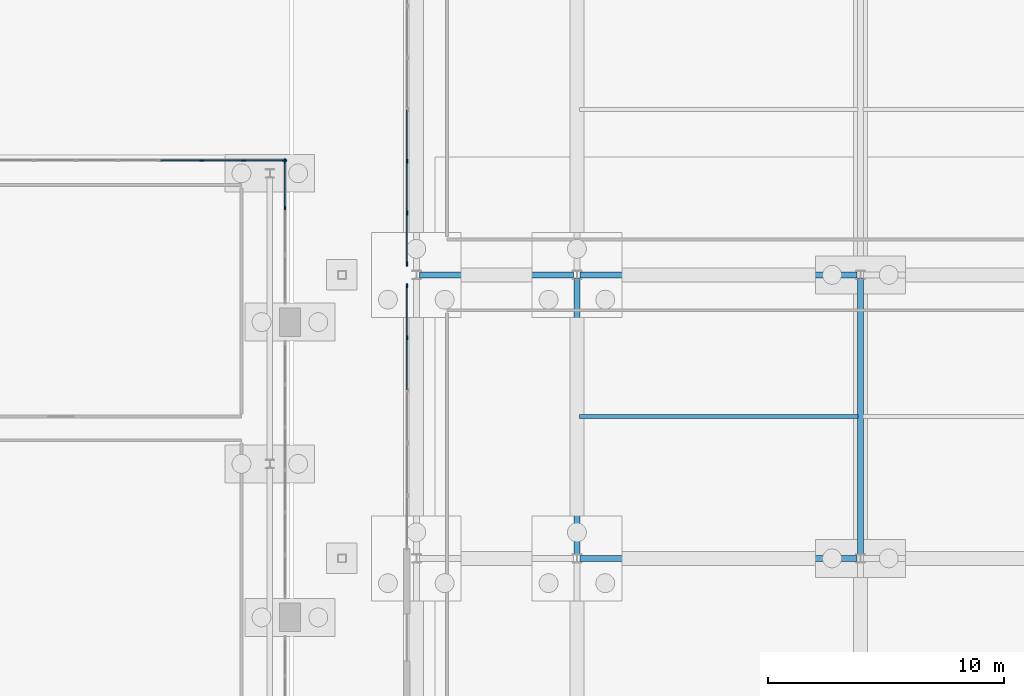
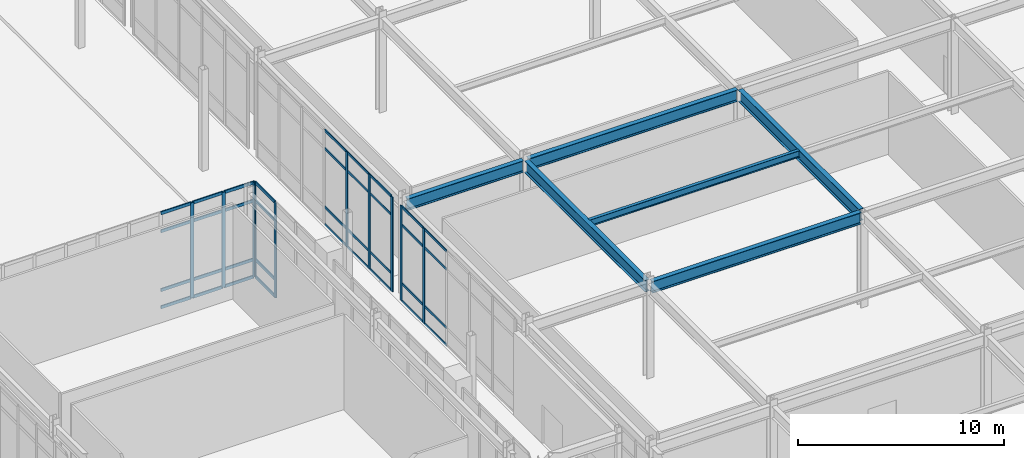
# One storey, part 63 of 143: 46 members, 6 beams, 4 elements without a shape of their own.
"""IFC4 building model written with IfcOpenShell, lengths in metres."""

import ifcopenshell
import ifcopenshell.guid

model = None  # the IFC model being written
_history = None  # IfcOwnerHistory: only IFC2X3 demands one
_inside = {}  # id of a spatial element -> (the spatial element, [elements in it])
_under = {}  # id of a project, library or spatial element -> (it, [spatial elements below it])
_declared = {}  # id of a project -> (the project, [libraries it declares])
_typed = {}  # id of a type object -> (the type object, [elements of that type])
_made_of = {}  # id of a material, layer set ... -> (it, [elements and type objects made of it])


def new_model(schema):
    """Start an empty IFC model of exactly this schema.

    Asked for "IFC4X3", IfcOpenShell would pick the latest addendum, in which some entities
    have other attributes; the version numbers below select the first issue.
    IFC2X3 requires an IfcOwnerHistory on every rooted entity: one is made here for all.
    """
    global model, _history
    if schema == "IFC4X3":
        model = ifcopenshell.file(schema_version=(4, 3, 0, 0))
    else:
        model = ifcopenshell.file(schema=schema)
    _inside.clear()
    _under.clear()
    _declared.clear()
    _typed.clear()
    _made_of.clear()
    _history = None
    if model.schema == "IFC2X3":
        org = make("IfcOrganization", Name="unknown")
        user = make(
            "IfcPersonAndOrganization",
            ThePerson=make("IfcPerson", FamilyName="unknown"),
            TheOrganization=org,
        )
        app = make(
            "IfcApplication",
            ApplicationDeveloper=org,
            Version="unknown",
            ApplicationFullName="unknown",
            ApplicationIdentifier="unknown",
        )
        _history = make(
            "IfcOwnerHistory",
            OwningUser=user,
            OwningApplication=app,
            ChangeAction="ADDED",
            CreationDate=0,
        )
    return model


def make(cls, **values):
    """One entity of the class cls with the attributes given. An attribute that is None is left unset."""
    return model.create_entity(
        cls, **{name: value for name, value in values.items() if value is not None}
    )


def rooted(cls, **values):
    """An entity with a GlobalId (a new one), such as an element, a storey or a relation."""
    return make(cls, GlobalId=ifcopenshell.guid.new(), OwnerHistory=_history, **values)


def si_unit(unit_type, name, prefix=None):
    """IfcSIUnit, for example si_unit("LENGTHUNIT", "METRE", prefix="MILLI")."""
    return make("IfcSIUnit", UnitType=unit_type, Prefix=prefix, Name=name)


def derived_unit(unit_type, elements):
    """IfcDerivedUnit: a product of units, each with its exponent."""
    return make(
        "IfcDerivedUnit",
        Elements=[
            make("IfcDerivedUnitElement", Unit=unit, Exponent=power)
            for unit, power in elements
        ],
        UnitType=unit_type,
    )


def assignment(units):
    """IfcUnitAssignment: the units of a project."""
    return None if units is None else make("IfcUnitAssignment", Units=units)


def point(xyz):
    """IfcCartesianPoint."""
    return None if xyz is None else make("IfcCartesianPoint", Coordinates=xyz)


def direction(xyz):
    """IfcDirection."""
    return None if xyz is None else make("IfcDirection", DirectionRatios=xyz)


def frame(location, z_axis=None, x_axis=None):
    """IfcAxis2Placement3D, a coordinate frame: its origin and axes. An axis left out is left unset."""
    return make(
        "IfcAxis2Placement3D",
        Location=point(location),
        Axis=direction(z_axis),
        RefDirection=direction(x_axis),
    )


def frame_2d(location, x_axis=None):
    """IfcAxis2Placement2D, a coordinate frame in the plane: its origin and x axis."""
    return make(
        "IfcAxis2Placement2D", Location=point(location), RefDirection=direction(x_axis)
    )


def origin():
    """The frame at (0, 0, 0) with its axes left unset."""
    return frame((0.0, 0.0, 0.0))


def origin_2d():
    """The frame at (0, 0) in the plane with its x axis left unset."""
    return frame_2d((0.0, 0.0))


def place(relative_to, where):
    """IfcLocalPlacement: puts the frame where relative to a parent placement (None: the world)."""
    return make(
        "IfcLocalPlacement", PlacementRelTo=relative_to, RelativePlacement=where
    )


def context(
    kind, dimensions, precision=None, world=None, true_north=None, identifier=None
):
    """IfcGeometricRepresentationContext, for example the 3D "Model" context."""
    return make(
        "IfcGeometricRepresentationContext",
        ContextIdentifier=identifier,
        ContextType=kind,
        CoordinateSpaceDimension=dimensions,
        Precision=precision,
        WorldCoordinateSystem=world,
        TrueNorth=true_north,
    )


def subcontext(parent, identifier, kind, view, scale=None):
    """IfcGeometricRepresentationSubContext, for example "Body" below "Model"."""
    return make(
        "IfcGeometricRepresentationSubContext",
        ContextIdentifier=identifier,
        ContextType=kind,
        ParentContext=parent,
        TargetScale=scale,
        TargetView=view,
    )


def project(units=None, contexts=None):
    """IfcProject with its units and contexts."""
    return rooted(
        "IfcProject",
        Name="project",
        RepresentationContexts=contexts,
        UnitsInContext=assignment(units),
    )


def spatial(cls, under=None, at=None, **own):
    """A site, building, storey or space (cls), placed at a placement, below another one or the project."""
    s = rooted(cls, ObjectPlacement=at, **own)
    if under is not None:
        _under.setdefault(under.id(), (under, []))[1].append(s)
    return s


def profile(cls, at=None, kind="AREA", **sizes):
    """A parametric profile (cls). Its sizes go by their IFC names, for example OverallWidth=200.0."""
    return make(cls, ProfileType=kind, Position=at, **sizes)


def rectangle(**sizes):
    """IfcRectangleProfileDef."""
    return profile("IfcRectangleProfileDef", **sizes)


def i_section(**sizes):
    """IfcIShapeProfileDef."""
    return profile("IfcIShapeProfileDef", **sizes)


def extrude(swept, where, along, depth):
    """IfcExtrudedAreaSolid: the profile swept, set in the frame where, extruded along a direction by depth."""
    return make(
        "IfcExtrudedAreaSolid",
        SweptArea=swept,
        Position=where,
        ExtrudedDirection=direction(along),
        Depth=depth,
    )


def shape(context_of_items, identifier, shape_type, items):
    """IfcShapeRepresentation: the items that make up one representation, for example the "Body"."""
    return make(
        "IfcShapeRepresentation",
        ContextOfItems=context_of_items,
        RepresentationIdentifier=identifier,
        RepresentationType=shape_type,
        Items=items,
    )


def material(Name=None, Category=None):
    """IfcMaterial."""
    return make("IfcMaterial", Name=Name, Category=Category)


def layer(
    of_material, thickness, ventilated=None, Name=None, Category=None, Priority=None
):
    """IfcMaterialLayer: one layer of a wall or slab, of a material (None: an air gap)."""
    return make(
        "IfcMaterialLayer",
        Material=of_material,
        LayerThickness=thickness,
        IsVentilated=ventilated,
        Name=Name,
        Category=Category,
        Priority=Priority,
    )


def layer_set(layers, Name=None):
    """IfcMaterialLayerSet."""
    return make("IfcMaterialLayerSet", MaterialLayers=layers, LayerSetName=Name)


def material_profile(
    of_material, cross_section, Name=None, Category=None, Priority=None
):
    """IfcMaterialProfile: a cross section and its material."""
    return make(
        "IfcMaterialProfile",
        Name=Name,
        Material=of_material,
        Profile=cross_section,
        Priority=Priority,
        Category=Category,
    )


def profile_set(profiles, Name=None, composite=None):
    """IfcMaterialProfileSet."""
    return make(
        "IfcMaterialProfileSet",
        Name=Name,
        MaterialProfiles=profiles,
        CompositeProfile=composite,
    )


def made_of(thing, what):
    """Note that an element or type object is made of a material, layer set ...; save() writes the relation."""
    if what is not None:
        _made_of.setdefault(what.id(), (what, []))[1].append(thing)
    return thing


def type_object(cls, material=None, **own):
    """A type object (cls), such as IfcWallType, which elements share."""
    return made_of(rooted(cls, **own), material)


def element(
    cls,
    number,
    at=None,
    inside=None,
    cuts=None,
    type_object=None,
    material=None,
    context=None,
    identifier="Body",
    shape_type=None,
    held_by="IfcProductDefinitionShape",
    body=None,
    shapes=None,
    **own,
):
    """One element of the class cls, such as IfcWall. Its Tag is "e" and its number.

    at: its placement. inside: the storey or other place that contains it. cuts: it is an
    opening in that element (IfcRelVoidsElement). A single representation is given by context,
    identifier, shape_type and body (its items); several are given by shapes. held_by: the class
    of the entity that holds the representations. save() writes the other relations.
    """
    e = rooted(cls, Tag="e%d" % number, ObjectPlacement=at, **own)
    if body is not None:
        shapes = [shape(context, identifier, shape_type, body)]
    if shapes is not None:
        e.Representation = make(held_by, Representations=shapes)
    if inside is not None:
        _inside.setdefault(inside.id(), (inside, []))[1].append(e)
    if cuts is not None:
        rooted(
            "IfcRelVoidsElement", RelatingBuildingElement=cuts, RelatedOpeningElement=e
        )
    if type_object is not None:
        _typed.setdefault(type_object.id(), (type_object, []))[1].append(e)
    return made_of(e, material)


def aggregate(whole, parts):
    """IfcRelAggregates: a whole, such as a stair, and the parts it consists of."""
    return rooted("IfcRelAggregates", RelatingObject=whole, RelatedObjects=parts)


def save(model, path):
    """Write the relations noted so far, then the file.

    IfcRelAggregates (storeys below a building ...), IfcRelContainedInSpatialStructure (elements
    in a storey), IfcRelDefinesByType, IfcRelAssociatesMaterial and IfcRelDeclares: one each for
    every whole, place, type object, material and project.
    """
    for whole, parts in _under.values():
        aggregate(whole, parts)
    for where, things in _inside.values():
        rooted(
            "IfcRelContainedInSpatialStructure",
            RelatedElements=things,
            RelatingStructure=where,
        )
    for kind, things in _typed.values():
        rooted("IfcRelDefinesByType", RelatedObjects=things, RelatingType=kind)
    for what, things in _made_of.values():
        rooted("IfcRelAssociatesMaterial", RelatedObjects=things, RelatingMaterial=what)
    for by, libraries in _declared.values():
        rooted("IfcRelDeclares", RelatingContext=by, RelatedDefinitions=libraries)
    model.write(path)


model = new_model("IFC4")

# Units and contexts
model_context = context("Model", 3, precision=1e-05, world=origin(), true_north=direction((0.0, 1.0)))
body_context = subcontext(model_context, "Body", "Model", "MODEL_VIEW")
ifc_project = project(units=[si_unit("LENGTHUNIT", "METRE"), si_unit("AREAUNIT", "SQUARE_METRE"), si_unit("VOLUMEUNIT", "CUBIC_METRE"), si_unit("PLANEANGLEUNIT", "RADIAN"), si_unit("MASSUNIT", "GRAM", prefix="KILO"), derived_unit("THERMALTRANSMITTANCEUNIT", [(si_unit("MASSUNIT", "GRAM", prefix="KILO"), 1), (si_unit("TIMEUNIT", "SECOND"), -3), (si_unit("THERMODYNAMICTEMPERATUREUNIT", "KELVIN"), -1)])], contexts=[model_context])

# Site, building, storey
site_placement = place(None, origin())
site = spatial("IfcSite", under=ifc_project, at=site_placement, CompositionType="ELEMENT")
building_placement = place(site_placement, origin())
building = spatial("IfcBuilding", under=site, at=building_placement, Name="Valcora Ridge Arena", CompositionType="ELEMENT")
storey_placement = place(building_placement, origin())
storey = spatial("IfcBuildingStorey", under=building, at=storey_placement, Name="L00", CompositionType="ELEMENT", Elevation=0.0)

# Beams
ifc_material_1 = material(Name="Steel ASTM A572 Grade 50", Category="steel")
ifc_material_profile_1 = material_profile(ifc_material_1, i_section(OverallWidth=0.256103515625, OverallDepth=0.693115234375, WebThickness=0.014404296875, FlangeThickness=0.023681640625, FilletRadius=0.02001953125, at=origin_2d()), Name="W27X114")
ifc_profile_set_1 = profile_set([ifc_material_profile_1], Name="Steel ASTM A572 Grade 50")
beam_type_1 = type_object("IfcBeamType", Name="TY-BEAM-G-W27X114-X", PredefinedType="BEAM", material=ifc_profile_set_1)
beam_1_placement = place(storey_placement, frame((144.139892578125, 28.0, 5.2734375), z_axis=(1.0, 0.0, 0.0), x_axis=(0.0, 1.0, 0.0)))
element("IfcBeam", 1, at=beam_1_placement, inside=storey, type_object=beam_type_1, Name="G-W27X114-X BEM-G-W27X114-X-0005", PredefinedType="BEAM", context=body_context, shape_type="SweptSolid", body=[
    extrude(i_section(OverallWidth=0.256103515625, OverallDepth=0.693115234375, WebThickness=0.014404296875, FlangeThickness=0.023681640625, FilletRadius=0.02001953125, at=origin_2d()), origin(), (0.0, 0.0, 1.0), 11.72021484375),
])
beam_2_placement = place(storey_placement, frame((137.340087890625, 40.0, 5.2734375), z_axis=(1.0, 0.0, 0.0), x_axis=(0.0, 1.0, 0.0)))
element("IfcBeam", 2, at=beam_2_placement, inside=storey, type_object=beam_type_1, Name="G-W27X114-X BEM-G-W27X114-X-0009", PredefinedType="BEAM", context=body_context, shape_type="SweptSolid", body=[
    extrude(i_section(OverallWidth=0.256103515625, OverallDepth=0.693115234375, WebThickness=0.014404296875, FlangeThickness=0.023681640625, FilletRadius=0.02001953125, at=origin_2d()), origin(), (0.0, 0.0, 1.0), 6.52001953125),
])
beam_3_placement = place(storey_placement, frame((144.139892578125, 40.0, 5.2734375), z_axis=(1.0, 0.0, 0.0), x_axis=(0.0, 1.0, 0.0)))
element("IfcBeam", 3, at=beam_3_placement, inside=storey, type_object=beam_type_1, Name="G-W27X114-X BEM-G-W27X114-X-0010", PredefinedType="BEAM", context=body_context, shape_type="SweptSolid", body=[
    extrude(i_section(OverallWidth=0.256103515625, OverallDepth=0.693115234375, WebThickness=0.014404296875, FlangeThickness=0.023681640625, FilletRadius=0.02001953125, at=origin_2d()), origin(), (0.0, 0.0, 1.0), 11.72021484375),
])
ifc_material_profile_2 = material_profile(ifc_material_1, i_section(OverallWidth=0.256103515625, OverallDepth=0.693115234375, WebThickness=0.014404296875, FlangeThickness=0.023681640625, FilletRadius=0.02001953125, at=origin_2d()), Name="W27X114")
ifc_profile_set_2 = profile_set([ifc_material_profile_2], Name="Steel ASTM A572 Grade 50")
beam_type_2 = type_object("IfcBeamType", Name="TY-BEAM-G-W27X114-Y", PredefinedType="BEAM", material=ifc_profile_set_2)
for number, where, z_axis, x_axis, name in (
    (4, (144.0, 28.139892578125, 5.2734375), (0.0, 1.0, 0.0), (-1.0, 0.0, 0.0), "G-W27X114-Y BEM-G-W27X114-Y-0009"),
    (5, (156.0, 28.139892578125, 5.2734375), (0.0, 1.0, 0.0), (-1.0, 0.0, 0.0), "G-W27X114-Y BEM-G-W27X114-Y-0015"),
):
    element("IfcBeam", number, at=place(storey_placement, frame(where, z_axis=z_axis, x_axis=x_axis)), inside=storey, type_object=beam_type_2, Name=name, PredefinedType="BEAM", context=body_context, shape_type="SweptSolid", body=[
        extrude(i_section(OverallWidth=0.256103515625, OverallDepth=0.693115234375, WebThickness=0.014404296875, FlangeThickness=0.023681640625, FilletRadius=0.02001953125, at=origin_2d()), origin(), (0.0, 0.0, 1.0), 11.72021484375),
    ])
ifc_material_profile_3 = material_profile(ifc_material_1, i_section(OverallWidth=0.177978515625, OverallDepth=0.406005859375, WebThickness=0.0078125, FlangeThickness=0.0126953125, FilletRadius=0.013916015625, at=origin_2d()), Name="W16X40")
ifc_profile_set_3 = profile_set([ifc_material_profile_3], Name="Steel ASTM A572 Grade 50")
beam_type_3 = type_object("IfcBeamType", Name="TY-BEAM-J-W16X40", PredefinedType="JOIST", material=ifc_profile_set_3)
beam_4_placement = place(storey_placement, frame((144.10009765625, 34.0, 5.4169921875), z_axis=(1.0, 0.0, 0.0), x_axis=(0.0, 1.0, 0.0)))
element("IfcBeam", 6, at=beam_4_placement, inside=storey, type_object=beam_type_3, Name="J-W16X40 BEM-J-W16X40-0003", PredefinedType="JOIST", context=body_context, shape_type="SweptSolid", body=[
    extrude(i_section(OverallWidth=0.177978515625, OverallDepth=0.406005859375, WebThickness=0.0078125, FlangeThickness=0.0126953125, FilletRadius=0.013916015625, at=origin_2d()), origin(), (0.0, 0.0, 1.0), 11.7998046875),
])

# Curtain wall, members
ifc_material_2 = material(Name="Anodised dark bronze architectural aluminium 6063-T6", Category="aluminium")
ifc_layer_1 = layer(ifc_material_2, 0.179931640625, Name="Anodised dark bronze architectural aluminium 6063-T6")
ifc_layer_set_1 = layer_set([ifc_layer_1], Name="Anodised dark bronze architectural aluminium 6063-T6")
curtain_wall_type_1 = type_object("IfcCurtainWallType", Name="TY-CURTAINWALL-CW-V3-LANCET-060X56", PredefinedType="NOTDEFINED", material=ifc_layer_set_1)
curtain_wall_1_placement = place(storey_placement, origin())
curtain_wall_1 = element("IfcCurtainWall", 7, at=curtain_wall_1_placement, inside=storey, type_object=curtain_wall_type_1, Name="CW-V3-LANCET-060X56 CW-0006", PredefinedType="NOTDEFINED")
ifc_material_profile_4 = material_profile(ifc_material_2, rectangle(XDim=0.06005859375, YDim=0.179931640625, at=origin_2d()), Name="ALU MULLION 60x180")
ifc_profile_set_4 = profile_set([ifc_material_profile_4], Name="Anodised dark bronze architectural aluminium 6063-T6")
member_type_1 = type_object("IfcMemberType", Name="TY-MEM-CWM-60x180", PredefinedType="MULLION", material=ifc_profile_set_4)
member_1_placement = place(storey_placement, frame((131.64990234375, 42.8466796875, 0.0), z_axis=(0.0, 0.0, 1.0), x_axis=(-1.0, 0.0, 0.0)))
member_1 = element("IfcMember", 8, at=member_1_placement, type_object=member_type_1, Name="CW-0006/CWM-60x180/M02", PredefinedType="MULLION", context=body_context, shape_type="SweptSolid", body=[
    extrude(rectangle(XDim=0.06005859375, YDim=0.179931640625, at=origin_2d()), origin(), (0.0, 0.0, 1.0), 5.639892578125),
])
member_2_placement = place(storey_placement, frame((131.64990234375, 44.820068359375, 0.0), z_axis=(0.0, 0.0, 1.0), x_axis=(-1.0, 0.0, 0.0)))
member_2 = element("IfcMember", 9, at=member_2_placement, type_object=member_type_1, Name="CW-0006/CWM-60x180/M03", PredefinedType="MULLION", context=body_context, shape_type="SweptSolid", body=[
    extrude(rectangle(XDim=0.06005859375, YDim=0.179931640625, at=origin_2d()), origin(), (0.0, 0.0, 1.0), 5.639892578125),
])

ifc_layer_2 = layer(ifc_material_2, 0.179931640625, Name="Anodised dark bronze architectural aluminium 6063-T6")
ifc_layer_set_2 = layer_set([ifc_layer_2], Name="Anodised dark bronze architectural aluminium 6063-T6")
curtain_wall_type_2 = type_object("IfcCurtainWallType", Name="TY-CURTAINWALL-CW-V3-LANCET-194X56", PredefinedType="NOTDEFINED", material=ifc_layer_set_2)
curtain_wall_2_placement = place(storey_placement, origin())
curtain_wall_2 = element("IfcCurtainWall", 10, at=curtain_wall_2_placement, inside=storey, type_object=curtain_wall_type_2, Name="CW-V3-LANCET-194X56 CW-0007", PredefinedType="NOTDEFINED")
member_3_placement = place(storey_placement, frame((128.113525390625, 44.85009765625, 0.0), z_axis=(0.0, 0.0, 1.0), x_axis=(0.0, 1.0, 0.0)))
member_3 = element("IfcMember", 11, at=member_3_placement, type_object=member_type_1, Name="CW-0007/CWM-60x180/M09", PredefinedType="MULLION", context=body_context, shape_type="SweptSolid", body=[
    extrude(rectangle(XDim=0.06005859375, YDim=0.179931640625, at=origin_2d()), origin(), (0.0, 0.0, 1.0), 5.639892578125),
])
member_4_placement = place(storey_placement, frame((129.8818359375, 44.85009765625, 0.0), z_axis=(0.0, 0.0, 1.0), x_axis=(0.0, 1.0, 0.0)))
member_4 = element("IfcMember", 12, at=member_4_placement, type_object=member_type_1, Name="CW-0007/CWM-60x180/M10", PredefinedType="MULLION", context=body_context, shape_type="SweptSolid", body=[
    extrude(rectangle(XDim=0.06005859375, YDim=0.179931640625, at=origin_2d()), origin(), (0.0, 0.0, 1.0), 5.639892578125),
])
member_5_placement = place(storey_placement, frame((131.6201171875, 44.85009765625, 0.0), z_axis=(0.0, 0.0, 1.0), x_axis=(0.0, 1.0, 0.0)))
member_5 = element("IfcMember", 13, at=member_5_placement, type_object=member_type_1, Name="CW-0007/CWM-60x180/M11", PredefinedType="MULLION", context=body_context, shape_type="SweptSolid", body=[
    extrude(rectangle(XDim=0.06005859375, YDim=0.179931640625, at=origin_2d()), origin(), (0.0, 0.0, 1.0), 5.639892578125),
])

ifc_layer_3 = layer(ifc_material_2, 0.179931640625, Name="Anodised dark bronze architectural aluminium 6063-T6")
ifc_layer_set_3 = layer_set([ifc_layer_3], Name="Anodised dark bronze architectural aluminium 6063-T6")
curtain_wall_type_3 = type_object("IfcCurtainWallType", Name="TY-CURTAINWALL-CW-V2-GLAZ-111X56", PredefinedType="NOTDEFINED", material=ifc_layer_set_3)
curtain_wall_3_placement = place(storey_placement, origin())
curtain_wall_3 = element("IfcCurtainWall", 14, at=curtain_wall_3_placement, inside=storey, type_object=curtain_wall_type_3, Name="CW-V2-GLAZ-111X56 CW-0021", PredefinedType="NOTDEFINED")
member_6_placement = place(storey_placement, frame((136.800048828125, 37.340087890625, 0.0), z_axis=(0.0, 0.0, 1.0), x_axis=(-1.0, 0.0, 0.0)))
member_6 = element("IfcMember", 15, at=member_6_placement, type_object=member_type_1, Name="CW-0021/CWM-60x180/M04", PredefinedType="MULLION", context=body_context, shape_type="SweptSolid", body=[
    extrude(rectangle(XDim=0.06005859375, YDim=0.179931640625, at=origin_2d()), origin(), (0.0, 0.0, 1.0), 5.6201171875),
])
member_7_placement = place(storey_placement, frame((136.800048828125, 39.537109375, 0.0), z_axis=(0.0, 0.0, 1.0), x_axis=(-1.0, 0.0, 0.0)))
member_7 = element("IfcMember", 16, at=member_7_placement, type_object=member_type_1, Name="CW-0021/CWM-60x180/M05", PredefinedType="MULLION", context=body_context, shape_type="SweptSolid", body=[
    extrude(rectangle(XDim=0.06005859375, YDim=0.179931640625, at=origin_2d()), origin(), (0.0, 0.0, 1.0), 5.6201171875),
])

ifc_layer_4 = layer(ifc_material_2, 0.179931640625, Name="Anodised dark bronze architectural aluminium 6063-T6")
ifc_layer_set_4 = layer_set([ifc_layer_4], Name="Anodised dark bronze architectural aluminium 6063-T6")
curtain_wall_type_4 = type_object("IfcCurtainWallType", Name="TY-CURTAINWALL-CW-V2-GLAZ-131X56", PredefinedType="NOTDEFINED", material=ifc_layer_set_4)
curtain_wall_4_placement = place(storey_placement, origin())
curtain_wall_4 = element("IfcCurtainWall", 17, at=curtain_wall_4_placement, inside=storey, type_object=curtain_wall_type_4, Name="CW-V2-GLAZ-131X56 CW-0022", PredefinedType="NOTDEFINED")
member_8_placement = place(storey_placement, frame((136.800048828125, 40.462890625, 0.0), z_axis=(0.0, 0.0, 1.0), x_axis=(-1.0, 0.0, 0.0)))
member_8 = element("IfcMember", 18, at=member_8_placement, type_object=member_type_1, Name="CW-0022/CWM-60x180/M00", PredefinedType="MULLION", context=body_context, shape_type="SweptSolid", body=[
    extrude(rectangle(XDim=0.06005859375, YDim=0.179931640625, at=origin_2d()), origin(), (0.0, 0.0, 1.0), 5.6201171875),
])
member_9_placement = place(storey_placement, frame((136.800048828125, 42.6220703125, 0.0), z_axis=(0.0, 0.0, 1.0), x_axis=(-1.0, 0.0, 0.0)))
member_9 = element("IfcMember", 19, at=member_9_placement, type_object=member_type_1, Name="CW-0022/CWM-60x180/M01", PredefinedType="MULLION", context=body_context, shape_type="SweptSolid", body=[
    extrude(rectangle(XDim=0.06005859375, YDim=0.179931640625, at=origin_2d()), origin(), (0.0, 0.0, 1.0), 5.6201171875),
])
member_10_placement = place(storey_placement, frame((136.800048828125, 44.81103515625, 0.0), z_axis=(0.0, 0.0, 1.0), x_axis=(-1.0, 0.0, 0.0)))
member_10 = element("IfcMember", 20, at=member_10_placement, type_object=member_type_1, Name="CW-0022/CWM-60x180/M02", PredefinedType="MULLION", context=body_context, shape_type="SweptSolid", body=[
    extrude(rectangle(XDim=0.06005859375, YDim=0.179931640625, at=origin_2d()), origin(), (0.0, 0.0, 1.0), 5.6201171875),
])

# Member
ifc_material_profile_5 = material_profile(ifc_material_2, rectangle(XDim=0.050048828125, YDim=0.14990234375, at=origin_2d()), Name="ALU TRANSOM 50x150")
ifc_profile_set_5 = profile_set([ifc_material_profile_5], Name="Anodised dark bronze architectural aluminium 6063-T6")
member_type_2 = type_object("IfcMemberType", Name="TY-MEM-CWT-50x150", PredefinedType="USERDEFINED", material=ifc_profile_set_5)
member_11_placement = place(storey_placement, frame((136.800048828125, 35.14306640625, 0.02490234375), z_axis=(0.0, 1.0, 0.0), x_axis=(-1.0, 0.0, 0.0)))
member_11 = element("IfcMember", 21, at=member_11_placement, type_object=member_type_2, Name="CW-0021/CWT-50x150/T03-00", ObjectType="TRANSOM", PredefinedType="USERDEFINED", context=body_context, shape_type="SweptSolid", body=[
    extrude(rectangle(XDim=0.050048828125, YDim=0.14990234375, at=origin_2d()), origin(), (0.0, 0.0, 1.0), 2.1669921875),
])

member_12_placement = place(storey_placement, frame((136.800048828125, 35.14306640625, 1.050048828125), z_axis=(0.0, 1.0, 0.0), x_axis=(-1.0, 0.0, 0.0)))
member_12 = element("IfcMember", 22, at=member_12_placement, type_object=member_type_2, Name="CW-0021/CWT-50x150/T03-01", ObjectType="TRANSOM", PredefinedType="USERDEFINED", context=body_context, shape_type="SweptSolid", body=[
    extrude(rectangle(XDim=0.050048828125, YDim=0.14990234375, at=origin_2d()), origin(), (0.0, 0.0, 1.0), 2.1669921875),
])

member_13_placement = place(storey_placement, frame((136.800048828125, 35.14306640625, 4.52001953125), z_axis=(0.0, 1.0, 0.0), x_axis=(-1.0, 0.0, 0.0)))
member_13 = element("IfcMember", 23, at=member_13_placement, type_object=member_type_2, Name="CW-0021/CWT-50x150/T03-02", ObjectType="TRANSOM", PredefinedType="USERDEFINED", context=body_context, shape_type="SweptSolid", body=[
    extrude(rectangle(XDim=0.050048828125, YDim=0.14990234375, at=origin_2d()), origin(), (0.0, 0.0, 1.0), 2.1669921875),
])

member_14_placement = place(storey_placement, frame((136.800048828125, 35.14306640625, 5.594970703125), z_axis=(0.0, 1.0, 0.0), x_axis=(-1.0, 0.0, 0.0)))
member_14 = element("IfcMember", 24, at=member_14_placement, type_object=member_type_2, Name="CW-0021/CWT-50x150/T03-03", ObjectType="TRANSOM", PredefinedType="USERDEFINED", context=body_context, shape_type="SweptSolid", body=[
    extrude(rectangle(XDim=0.050048828125, YDim=0.14990234375, at=origin_2d()), origin(), (0.0, 0.0, 1.0), 2.1669921875),
])

member_15_placement = place(storey_placement, frame((136.800048828125, 37.3701171875, 0.02490234375), z_axis=(0.0, 1.0, 0.0), x_axis=(-1.0, 0.0, 0.0)))
member_15 = element("IfcMember", 25, at=member_15_placement, type_object=member_type_2, Name="CW-0021/CWT-50x150/T04-00", ObjectType="TRANSOM", PredefinedType="USERDEFINED", context=body_context, shape_type="SweptSolid", body=[
    extrude(rectangle(XDim=0.050048828125, YDim=0.14990234375, at=origin_2d()), origin(), (0.0, 0.0, 1.0), 2.136962890625),
])

member_16_placement = place(storey_placement, frame((136.800048828125, 37.3701171875, 1.050048828125), z_axis=(0.0, 1.0, 0.0), x_axis=(-1.0, 0.0, 0.0)))
member_16 = element("IfcMember", 26, at=member_16_placement, type_object=member_type_2, Name="CW-0021/CWT-50x150/T04-01", ObjectType="TRANSOM", PredefinedType="USERDEFINED", context=body_context, shape_type="SweptSolid", body=[
    extrude(rectangle(XDim=0.050048828125, YDim=0.14990234375, at=origin_2d()), origin(), (0.0, 0.0, 1.0), 2.136962890625),
])

member_17_placement = place(storey_placement, frame((136.800048828125, 37.3701171875, 4.52001953125), z_axis=(0.0, 1.0, 0.0), x_axis=(-1.0, 0.0, 0.0)))
member_17 = element("IfcMember", 27, at=member_17_placement, type_object=member_type_2, Name="CW-0021/CWT-50x150/T04-02", ObjectType="TRANSOM", PredefinedType="USERDEFINED", context=body_context, shape_type="SweptSolid", body=[
    extrude(rectangle(XDim=0.050048828125, YDim=0.14990234375, at=origin_2d()), origin(), (0.0, 0.0, 1.0), 2.136962890625),
])

member_18_placement = place(storey_placement, frame((136.800048828125, 37.3701171875, 5.594970703125), z_axis=(0.0, 1.0, 0.0), x_axis=(-1.0, 0.0, 0.0)))
member_18 = element("IfcMember", 28, at=member_18_placement, type_object=member_type_2, Name="CW-0021/CWT-50x150/T04-03", ObjectType="TRANSOM", PredefinedType="USERDEFINED", context=body_context, shape_type="SweptSolid", body=[
    extrude(rectangle(XDim=0.050048828125, YDim=0.14990234375, at=origin_2d()), origin(), (0.0, 0.0, 1.0), 2.136962890625),
])

aggregate(curtain_wall_3, [member_6, member_7, member_11, member_12, member_13, member_14, member_15, member_16, member_17, member_18])

member_19_placement = place(storey_placement, frame((136.800048828125, 40.492919921875, 0.02490234375), z_axis=(0.0, 1.0, 0.0), x_axis=(-1.0, 0.0, 0.0)))
member_19 = element("IfcMember", 29, at=member_19_placement, type_object=member_type_2, Name="CW-0022/CWT-50x150/T00-00", ObjectType="TRANSOM", PredefinedType="USERDEFINED", context=body_context, shape_type="SweptSolid", body=[
    extrude(rectangle(XDim=0.050048828125, YDim=0.14990234375, at=origin_2d()), origin(), (0.0, 0.0, 1.0), 2.09912109375),
])

member_20_placement = place(storey_placement, frame((136.800048828125, 40.492919921875, 1.050048828125), z_axis=(0.0, 1.0, 0.0), x_axis=(-1.0, 0.0, 0.0)))
member_20 = element("IfcMember", 30, at=member_20_placement, type_object=member_type_2, Name="CW-0022/CWT-50x150/T00-01", ObjectType="TRANSOM", PredefinedType="USERDEFINED", context=body_context, shape_type="SweptSolid", body=[
    extrude(rectangle(XDim=0.050048828125, YDim=0.14990234375, at=origin_2d()), origin(), (0.0, 0.0, 1.0), 2.09912109375),
])

member_21_placement = place(storey_placement, frame((136.800048828125, 40.492919921875, 4.52001953125), z_axis=(0.0, 1.0, 0.0), x_axis=(-1.0, 0.0, 0.0)))
member_21 = element("IfcMember", 31, at=member_21_placement, type_object=member_type_2, Name="CW-0022/CWT-50x150/T00-02", ObjectType="TRANSOM", PredefinedType="USERDEFINED", context=body_context, shape_type="SweptSolid", body=[
    extrude(rectangle(XDim=0.050048828125, YDim=0.14990234375, at=origin_2d()), origin(), (0.0, 0.0, 1.0), 2.09912109375),
])

member_22_placement = place(storey_placement, frame((136.800048828125, 40.492919921875, 5.594970703125), z_axis=(0.0, 1.0, 0.0), x_axis=(-1.0, 0.0, 0.0)))
member_22 = element("IfcMember", 32, at=member_22_placement, type_object=member_type_2, Name="CW-0022/CWT-50x150/T00-03", ObjectType="TRANSOM", PredefinedType="USERDEFINED", context=body_context, shape_type="SweptSolid", body=[
    extrude(rectangle(XDim=0.050048828125, YDim=0.14990234375, at=origin_2d()), origin(), (0.0, 0.0, 1.0), 2.09912109375),
])

member_23_placement = place(storey_placement, frame((136.800048828125, 42.652099609375, 0.02490234375), z_axis=(0.0, 1.0, 0.0), x_axis=(-1.0, 0.0, 0.0)))
member_23 = element("IfcMember", 33, at=member_23_placement, type_object=member_type_2, Name="CW-0022/CWT-50x150/T01-00", ObjectType="TRANSOM", PredefinedType="USERDEFINED", context=body_context, shape_type="SweptSolid", body=[
    extrude(rectangle(XDim=0.050048828125, YDim=0.14990234375, at=origin_2d()), origin(), (0.0, 0.0, 1.0), 2.12890625),
])

member_24_placement = place(storey_placement, frame((136.800048828125, 42.652099609375, 1.050048828125), z_axis=(0.0, 1.0, 0.0), x_axis=(-1.0, 0.0, 0.0)))
member_24 = element("IfcMember", 34, at=member_24_placement, type_object=member_type_2, Name="CW-0022/CWT-50x150/T01-01", ObjectType="TRANSOM", PredefinedType="USERDEFINED", context=body_context, shape_type="SweptSolid", body=[
    extrude(rectangle(XDim=0.050048828125, YDim=0.14990234375, at=origin_2d()), origin(), (0.0, 0.0, 1.0), 2.12890625),
])

member_25_placement = place(storey_placement, frame((136.800048828125, 42.652099609375, 4.52001953125), z_axis=(0.0, 1.0, 0.0), x_axis=(-1.0, 0.0, 0.0)))
member_25 = element("IfcMember", 35, at=member_25_placement, type_object=member_type_2, Name="CW-0022/CWT-50x150/T01-02", ObjectType="TRANSOM", PredefinedType="USERDEFINED", context=body_context, shape_type="SweptSolid", body=[
    extrude(rectangle(XDim=0.050048828125, YDim=0.14990234375, at=origin_2d()), origin(), (0.0, 0.0, 1.0), 2.12890625),
])

member_26_placement = place(storey_placement, frame((136.800048828125, 42.652099609375, 5.594970703125), z_axis=(0.0, 1.0, 0.0), x_axis=(-1.0, 0.0, 0.0)))
member_26 = element("IfcMember", 36, at=member_26_placement, type_object=member_type_2, Name="CW-0022/CWT-50x150/T01-03", ObjectType="TRANSOM", PredefinedType="USERDEFINED", context=body_context, shape_type="SweptSolid", body=[
    extrude(rectangle(XDim=0.050048828125, YDim=0.14990234375, at=origin_2d()), origin(), (0.0, 0.0, 1.0), 2.12890625),
])

member_27_placement = place(storey_placement, frame((136.800048828125, 44.841064453125, 0.02490234375), z_axis=(0.0, 1.0, 0.0), x_axis=(-1.0, 0.0, 0.0)))
member_27 = element("IfcMember", 37, at=member_27_placement, type_object=member_type_2, Name="CW-0022/CWT-50x150/T02-00", ObjectType="TRANSOM", PredefinedType="USERDEFINED", context=body_context, shape_type="SweptSolid", body=[
    extrude(rectangle(XDim=0.050048828125, YDim=0.14990234375, at=origin_2d()), origin(), (0.0, 0.0, 1.0), 2.12890625),
])

member_28_placement = place(storey_placement, frame((136.800048828125, 44.841064453125, 1.050048828125), z_axis=(0.0, 1.0, 0.0), x_axis=(-1.0, 0.0, 0.0)))
member_28 = element("IfcMember", 38, at=member_28_placement, type_object=member_type_2, Name="CW-0022/CWT-50x150/T02-01", ObjectType="TRANSOM", PredefinedType="USERDEFINED", context=body_context, shape_type="SweptSolid", body=[
    extrude(rectangle(XDim=0.050048828125, YDim=0.14990234375, at=origin_2d()), origin(), (0.0, 0.0, 1.0), 2.12890625),
])

member_29_placement = place(storey_placement, frame((136.800048828125, 44.841064453125, 4.52001953125), z_axis=(0.0, 1.0, 0.0), x_axis=(-1.0, 0.0, 0.0)))
member_29 = element("IfcMember", 39, at=member_29_placement, type_object=member_type_2, Name="CW-0022/CWT-50x150/T02-02", ObjectType="TRANSOM", PredefinedType="USERDEFINED", context=body_context, shape_type="SweptSolid", body=[
    extrude(rectangle(XDim=0.050048828125, YDim=0.14990234375, at=origin_2d()), origin(), (0.0, 0.0, 1.0), 2.12890625),
])

member_30_placement = place(storey_placement, frame((136.800048828125, 44.841064453125, 5.594970703125), z_axis=(0.0, 1.0, 0.0), x_axis=(-1.0, 0.0, 0.0)))
member_30 = element("IfcMember", 40, at=member_30_placement, type_object=member_type_2, Name="CW-0022/CWT-50x150/T02-03", ObjectType="TRANSOM", PredefinedType="USERDEFINED", context=body_context, shape_type="SweptSolid", body=[
    extrude(rectangle(XDim=0.050048828125, YDim=0.14990234375, at=origin_2d()), origin(), (0.0, 0.0, 1.0), 2.12890625),
])

aggregate(curtain_wall_4, [member_8, member_9, member_10, member_19, member_20, member_21, member_22, member_23, member_24, member_25, member_26, member_27, member_28, member_29, member_30])

ifc_material_profile_6 = material_profile(ifc_material_2, rectangle(XDim=0.06005859375, YDim=0.179931640625, at=origin_2d()), Name="ALU TRANSOM 60x180")
ifc_profile_set_6 = profile_set([ifc_material_profile_6], Name="Anodised dark bronze architectural aluminium 6063-T6")
member_type_3 = type_object("IfcMemberType", Name="TY-MEM-CWT-60x180", PredefinedType="USERDEFINED", material=ifc_profile_set_6)
member_31_placement = place(storey_placement, frame((131.64990234375, 42.876953125, 0.030029296875), z_axis=(0.0, 1.0, 0.0), x_axis=(-1.0, 0.0, 0.0)))
member_31 = element("IfcMember", 41, at=member_31_placement, type_object=member_type_3, Name="CW-0006/CWT-60x180/T02-00", ObjectType="TRANSOM", PredefinedType="USERDEFINED", context=body_context, shape_type="SweptSolid", body=[
    extrude(rectangle(XDim=0.06005859375, YDim=0.179931640625, at=origin_2d()), origin(), (0.0, 0.0, 1.0), 1.9130859375),
])

member_32_placement = place(storey_placement, frame((131.64990234375, 42.876953125, 1.050048828125), z_axis=(0.0, 1.0, 0.0), x_axis=(-1.0, 0.0, 0.0)))
member_32 = element("IfcMember", 42, at=member_32_placement, type_object=member_type_3, Name="CW-0006/CWT-60x180/T02-01", ObjectType="TRANSOM", PredefinedType="USERDEFINED", context=body_context, shape_type="SweptSolid", body=[
    extrude(rectangle(XDim=0.06005859375, YDim=0.179931640625, at=origin_2d()), origin(), (0.0, 0.0, 1.0), 1.9130859375),
])

member_33_placement = place(storey_placement, frame((131.64990234375, 42.876953125, 4.5400390625), z_axis=(0.0, 1.0, 0.0), x_axis=(-1.0, 0.0, 0.0)))
member_33 = element("IfcMember", 43, at=member_33_placement, type_object=member_type_3, Name="CW-0006/CWT-60x180/T02-02", ObjectType="TRANSOM", PredefinedType="USERDEFINED", context=body_context, shape_type="SweptSolid", body=[
    extrude(rectangle(XDim=0.06005859375, YDim=0.179931640625, at=origin_2d()), origin(), (0.0, 0.0, 1.0), 1.9130859375),
])

member_34_placement = place(storey_placement, frame((131.64990234375, 42.876953125, 5.610107421875), z_axis=(0.0, 1.0, 0.0), x_axis=(-1.0, 0.0, 0.0)))
member_34 = element("IfcMember", 44, at=member_34_placement, type_object=member_type_3, Name="CW-0006/CWT-60x180/T02-03", ObjectType="TRANSOM", PredefinedType="USERDEFINED", context=body_context, shape_type="SweptSolid", body=[
    extrude(rectangle(XDim=0.06005859375, YDim=0.179931640625, at=origin_2d()), origin(), (0.0, 0.0, 1.0), 1.9130859375),
])

aggregate(curtain_wall_1, [member_1, member_2, member_31, member_32, member_33, member_34])

member_35_placement = place(storey_placement, frame((126.375, 44.85009765625, 0.030029296875), z_axis=(1.0, 0.0, 0.0), x_axis=(0.0, 1.0, 0.0)))
member_35 = element("IfcMember", 45, at=member_35_placement, type_object=member_type_3, Name="CW-0007/CWT-60x180/T08-00", ObjectType="TRANSOM", PredefinedType="USERDEFINED", context=body_context, shape_type="SweptSolid", body=[
    extrude(rectangle(XDim=0.06005859375, YDim=0.179931640625, at=origin_2d()), origin(), (0.0, 0.0, 1.0), 1.708984375),
])

member_36_placement = place(storey_placement, frame((126.375, 44.85009765625, 1.050048828125), z_axis=(1.0, 0.0, 0.0), x_axis=(0.0, 1.0, 0.0)))
member_36 = element("IfcMember", 46, at=member_36_placement, type_object=member_type_3, Name="CW-0007/CWT-60x180/T08-01", ObjectType="TRANSOM", PredefinedType="USERDEFINED", context=body_context, shape_type="SweptSolid", body=[
    extrude(rectangle(XDim=0.06005859375, YDim=0.179931640625, at=origin_2d()), origin(), (0.0, 0.0, 1.0), 1.708984375),
])

member_37_placement = place(storey_placement, frame((126.375, 44.85009765625, 4.5400390625), z_axis=(1.0, 0.0, 0.0), x_axis=(0.0, 1.0, 0.0)))
member_37 = element("IfcMember", 47, at=member_37_placement, type_object=member_type_3, Name="CW-0007/CWT-60x180/T08-02", ObjectType="TRANSOM", PredefinedType="USERDEFINED", context=body_context, shape_type="SweptSolid", body=[
    extrude(rectangle(XDim=0.06005859375, YDim=0.179931640625, at=origin_2d()), origin(), (0.0, 0.0, 1.0), 1.708984375),
])

member_38_placement = place(storey_placement, frame((126.375, 44.85009765625, 5.610107421875), z_axis=(1.0, 0.0, 0.0), x_axis=(0.0, 1.0, 0.0)))
member_38 = element("IfcMember", 48, at=member_38_placement, type_object=member_type_3, Name="CW-0007/CWT-60x180/T08-03", ObjectType="TRANSOM", PredefinedType="USERDEFINED", context=body_context, shape_type="SweptSolid", body=[
    extrude(rectangle(XDim=0.06005859375, YDim=0.179931640625, at=origin_2d()), origin(), (0.0, 0.0, 1.0), 1.708984375),
])

member_39_placement = place(storey_placement, frame((128.14404296875, 44.85009765625, 0.030029296875), z_axis=(1.0, 0.0, 0.0), x_axis=(0.0, 1.0, 0.0)))
member_39 = element("IfcMember", 49, at=member_39_placement, type_object=member_type_3, Name="CW-0007/CWT-60x180/T09-00", ObjectType="TRANSOM", PredefinedType="USERDEFINED", context=body_context, shape_type="SweptSolid", body=[
    extrude(rectangle(XDim=0.06005859375, YDim=0.179931640625, at=origin_2d()), origin(), (0.0, 0.0, 1.0), 1.7080078125),
])

member_40_placement = place(storey_placement, frame((128.14404296875, 44.85009765625, 1.050048828125), z_axis=(1.0, 0.0, 0.0), x_axis=(0.0, 1.0, 0.0)))
member_40 = element("IfcMember", 50, at=member_40_placement, type_object=member_type_3, Name="CW-0007/CWT-60x180/T09-01", ObjectType="TRANSOM", PredefinedType="USERDEFINED", context=body_context, shape_type="SweptSolid", body=[
    extrude(rectangle(XDim=0.06005859375, YDim=0.179931640625, at=origin_2d()), origin(), (0.0, 0.0, 1.0), 1.7080078125),
])

member_41_placement = place(storey_placement, frame((128.14404296875, 44.85009765625, 4.5400390625), z_axis=(1.0, 0.0, 0.0), x_axis=(0.0, 1.0, 0.0)))
member_41 = element("IfcMember", 51, at=member_41_placement, type_object=member_type_3, Name="CW-0007/CWT-60x180/T09-02", ObjectType="TRANSOM", PredefinedType="USERDEFINED", context=body_context, shape_type="SweptSolid", body=[
    extrude(rectangle(XDim=0.06005859375, YDim=0.179931640625, at=origin_2d()), origin(), (0.0, 0.0, 1.0), 1.7080078125),
])

member_42_placement = place(storey_placement, frame((128.14404296875, 44.85009765625, 5.610107421875), z_axis=(1.0, 0.0, 0.0), x_axis=(0.0, 1.0, 0.0)))
member_42 = element("IfcMember", 52, at=member_42_placement, type_object=member_type_3, Name="CW-0007/CWT-60x180/T09-03", ObjectType="TRANSOM", PredefinedType="USERDEFINED", context=body_context, shape_type="SweptSolid", body=[
    extrude(rectangle(XDim=0.06005859375, YDim=0.179931640625, at=origin_2d()), origin(), (0.0, 0.0, 1.0), 1.7080078125),
])

member_43_placement = place(storey_placement, frame((129.912109375, 44.85009765625, 0.030029296875), z_axis=(1.0, 0.0, 0.0), x_axis=(0.0, 1.0, 0.0)))
member_43 = element("IfcMember", 53, at=member_43_placement, type_object=member_type_3, Name="CW-0007/CWT-60x180/T10-00", ObjectType="TRANSOM", PredefinedType="USERDEFINED", context=body_context, shape_type="SweptSolid", body=[
    extrude(rectangle(XDim=0.06005859375, YDim=0.179931640625, at=origin_2d()), origin(), (0.0, 0.0, 1.0), 1.677978515625),
])

member_44_placement = place(storey_placement, frame((129.912109375, 44.85009765625, 1.050048828125), z_axis=(1.0, 0.0, 0.0), x_axis=(0.0, 1.0, 0.0)))
member_44 = element("IfcMember", 54, at=member_44_placement, type_object=member_type_3, Name="CW-0007/CWT-60x180/T10-01", ObjectType="TRANSOM", PredefinedType="USERDEFINED", context=body_context, shape_type="SweptSolid", body=[
    extrude(rectangle(XDim=0.06005859375, YDim=0.179931640625, at=origin_2d()), origin(), (0.0, 0.0, 1.0), 1.677978515625),
])

member_45_placement = place(storey_placement, frame((129.912109375, 44.85009765625, 4.5400390625), z_axis=(1.0, 0.0, 0.0), x_axis=(0.0, 1.0, 0.0)))
member_45 = element("IfcMember", 55, at=member_45_placement, type_object=member_type_3, Name="CW-0007/CWT-60x180/T10-02", ObjectType="TRANSOM", PredefinedType="USERDEFINED", context=body_context, shape_type="SweptSolid", body=[
    extrude(rectangle(XDim=0.06005859375, YDim=0.179931640625, at=origin_2d()), origin(), (0.0, 0.0, 1.0), 1.677978515625),
])

member_46_placement = place(storey_placement, frame((129.912109375, 44.85009765625, 5.610107421875), z_axis=(1.0, 0.0, 0.0), x_axis=(0.0, 1.0, 0.0)))
member_46 = element("IfcMember", 56, at=member_46_placement, type_object=member_type_3, Name="CW-0007/CWT-60x180/T10-03", ObjectType="TRANSOM", PredefinedType="USERDEFINED", context=body_context, shape_type="SweptSolid", body=[
    extrude(rectangle(XDim=0.06005859375, YDim=0.179931640625, at=origin_2d()), origin(), (0.0, 0.0, 1.0), 1.677978515625),
])

aggregate(curtain_wall_2, [member_3, member_4, member_5, member_35, member_36, member_37, member_38, member_39, member_40, member_41, member_42, member_43, member_44, member_45, member_46])

save(model, "model.ifc")
